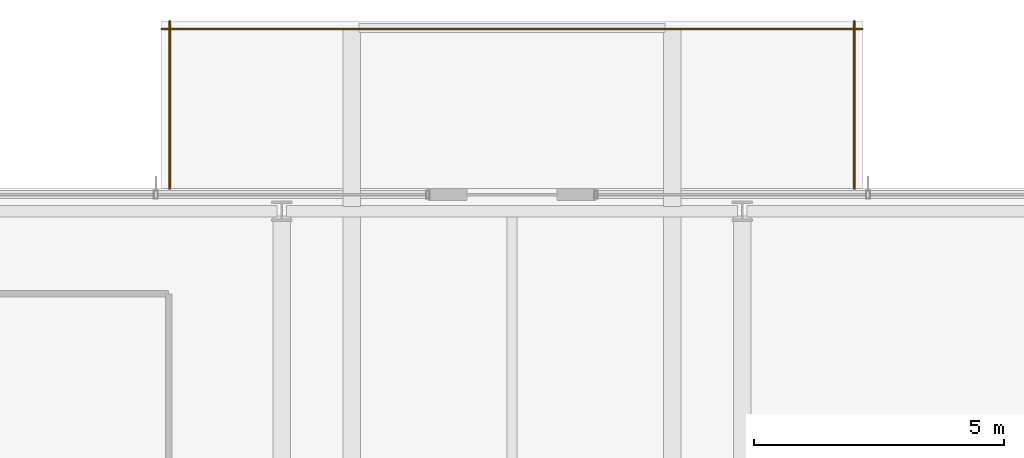
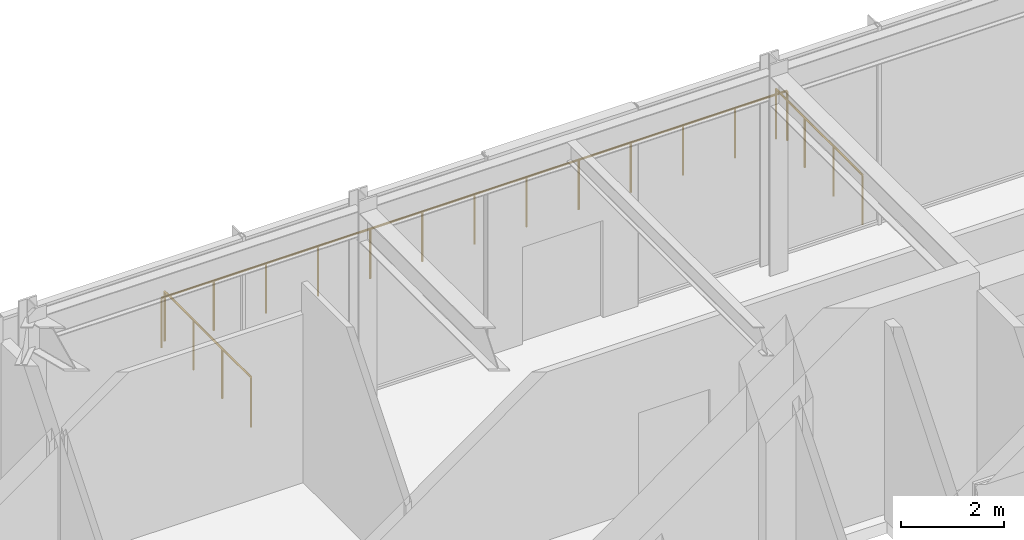
# One storey, part 31 of 31: 3 railings.
"""IFC4 building model written with IfcOpenShell, lengths in metres."""

from ifc_helpers import new_model, si_unit, direction, frame, origin, origin_2d, place, context, subcontext, project, spatial, circle, extrude, material, type_object, element, save


model = new_model("IFC4")

# Units and contexts
model_context = context("Model", 3, precision=1e-05, world=origin(), true_north=direction((0.0, 1.0)))
body_context = subcontext(model_context, "Body", "Model", "MODEL_VIEW")
ifc_project = project(units=[si_unit("LENGTHUNIT", "METRE"), si_unit("AREAUNIT", "SQUARE_METRE"), si_unit("VOLUMEUNIT", "CUBIC_METRE"), si_unit("PLANEANGLEUNIT", "RADIAN"), si_unit("MASSUNIT", "GRAM", prefix="KILO")], contexts=[model_context])

# Site, building, storey
site_placement = place(None, origin())
site = spatial("IfcSite", under=ifc_project, at=site_placement, CompositionType="ELEMENT")
building_placement = place(site_placement, origin())
building = spatial("IfcBuilding", under=site, at=building_placement, Name="Kolvaren Belvedere", CompositionType="ELEMENT")
storey_placement = place(building_placement, frame((0.0, 0.0, 267.39990234375)))
storey = spatial("IfcBuildingStorey", under=building, at=storey_placement, Name="L77", CompositionType="ELEMENT", Elevation=267.39990234375)

# Railings
ifc_material = material(Name="Structural stainless-steel & low-iron glass lookout guard", Category="steel")
railing_type = type_object("IfcRailingType", Name="RL-LOOKOUT-1200", PredefinedType="GUARDRAIL", material=ifc_material)
railing_1_placement = place(storey_placement, frame((6.840087890625, 18.39990234375, -0.02001953125)))
element("IfcRailing", 1, at=railing_1_placement, inside=storey, type_object=railing_type, Name="L77 Exterior Deck Safety Guard LOOKOUT-N-2", PredefinedType="GUARDRAIL", context=body_context, shape_type="SweptSolid", body=[
    extrude(circle(Radius=0.02392578125, at=origin_2d()), frame((0.0, 0.0, 1.17578125), z_axis=(0.0, 1.0, 0.0), x_axis=(-1.0, 0.0, 0.0)), (0.0, 0.0, 1.0), 3.35009765625),
    extrude(circle(Radius=0.02099609375, at=origin_2d()), origin(), (0.0, 0.0, 1.0), 1.15185546875),
    extrude(circle(Radius=0.02099609375, at=origin_2d()), frame((0.0, 1.11669921875, 0.0)), (0.0, 0.0, 1.0), 1.15185546875),
    extrude(circle(Radius=0.02099609375, at=origin_2d()), frame((0.0, 2.2333984375, 0.0)), (0.0, 0.0, 1.0), 1.15185546875),
    extrude(circle(Radius=0.02099609375, at=origin_2d()), frame((0.0, 3.35009765625, 0.0)), (0.0, 0.0, 1.0), 1.15185546875),
])
railing_2_placement = place(storey_placement, frame((7.0, 21.590087890625, -0.02001953125)))
element("IfcRailing", 2, at=railing_2_placement, inside=storey, type_object=railing_type, Name="L77 Exterior Deck Safety Guard LOOKOUT-N-3", PredefinedType="GUARDRAIL", context=body_context, shape_type="SweptSolid", body=[
    extrude(circle(Radius=0.02392578125, at=origin_2d()), frame((0.0, 0.0, 1.17578125), z_axis=(-1.0, 0.0, 0.0), x_axis=(0.0, -1.0, 0.0)), (0.0, 0.0, 1.0), 14.0),
    extrude(circle(Radius=0.02099609375, at=origin_2d()), origin(), (0.0, 0.0, 1.0), 1.15185546875),
    extrude(circle(Radius=0.02099609375, at=origin_2d()), frame((-1.166748046875, 0.0, 0.0)), (0.0, 0.0, 1.0), 1.15185546875),
    extrude(circle(Radius=0.02099609375, at=origin_2d()), frame((-2.333251953125, 0.0, 0.0)), (0.0, 0.0, 1.0), 1.15185546875),
    extrude(circle(Radius=0.02099609375, at=origin_2d()), frame((-3.5, 0.0, 0.0)), (0.0, 0.0, 1.0), 1.15185546875),
    extrude(circle(Radius=0.02099609375, at=origin_2d()), frame((-4.666748046875, 0.0, 0.0)), (0.0, 0.0, 1.0), 1.15185546875),
    extrude(circle(Radius=0.02099609375, at=origin_2d()), frame((-5.833251953125, 0.0, 0.0)), (0.0, 0.0, 1.0), 1.15185546875),
    extrude(circle(Radius=0.02099609375, at=origin_2d()), frame((-7.0, 0.0, 0.0)), (0.0, 0.0, 1.0), 1.15185546875),
    extrude(circle(Radius=0.02099609375, at=origin_2d()), frame((-8.166748046875, 0.0, 0.0)), (0.0, 0.0, 1.0), 1.15185546875),
    extrude(circle(Radius=0.02099609375, at=origin_2d()), frame((-9.333251953125, 0.0, 0.0)), (0.0, 0.0, 1.0), 1.15185546875),
    extrude(circle(Radius=0.02099609375, at=origin_2d()), frame((-10.5, 0.0, 0.0)), (0.0, 0.0, 1.0), 1.15185546875),
    extrude(circle(Radius=0.02099609375, at=origin_2d()), frame((-11.666748046875, 0.0, 0.0)), (0.0, 0.0, 1.0), 1.15185546875),
    extrude(circle(Radius=0.02099609375, at=origin_2d()), frame((-12.833251953125, 0.0, 0.0)), (0.0, 0.0, 1.0), 1.15185546875),
    extrude(circle(Radius=0.02099609375, at=origin_2d()), frame((-14.0, 0.0, 0.0)), (0.0, 0.0, 1.0), 1.15185546875),
])
railing_3_placement = place(storey_placement, frame((-6.840087890625, 21.75, -0.02001953125)))
element("IfcRailing", 3, at=railing_3_placement, inside=storey, type_object=railing_type, Name="L77 Exterior Deck Safety Guard LOOKOUT-N-4", PredefinedType="GUARDRAIL", context=body_context, shape_type="SweptSolid", body=[
    extrude(circle(Radius=0.02392578125, at=origin_2d()), frame((0.0, 0.0, 1.17578125), z_axis=(0.0, -1.0, 0.0), x_axis=(1.0, 0.0, 0.0)), (0.0, 0.0, 1.0), 3.35009765625),
    extrude(circle(Radius=0.02099609375, at=origin_2d()), origin(), (0.0, 0.0, 1.0), 1.15185546875),
    extrude(circle(Radius=0.02099609375, at=origin_2d()), frame((0.0, -1.11669921875, 0.0)), (0.0, 0.0, 1.0), 1.15185546875),
    extrude(circle(Radius=0.02099609375, at=origin_2d()), frame((0.0, -2.2333984375, 0.0)), (0.0, 0.0, 1.0), 1.15185546875),
    extrude(circle(Radius=0.02099609375, at=origin_2d()), frame((0.0, -3.35009765625, 0.0)), (0.0, 0.0, 1.0), 1.15185546875),
])

save(model, "model.ifc")
